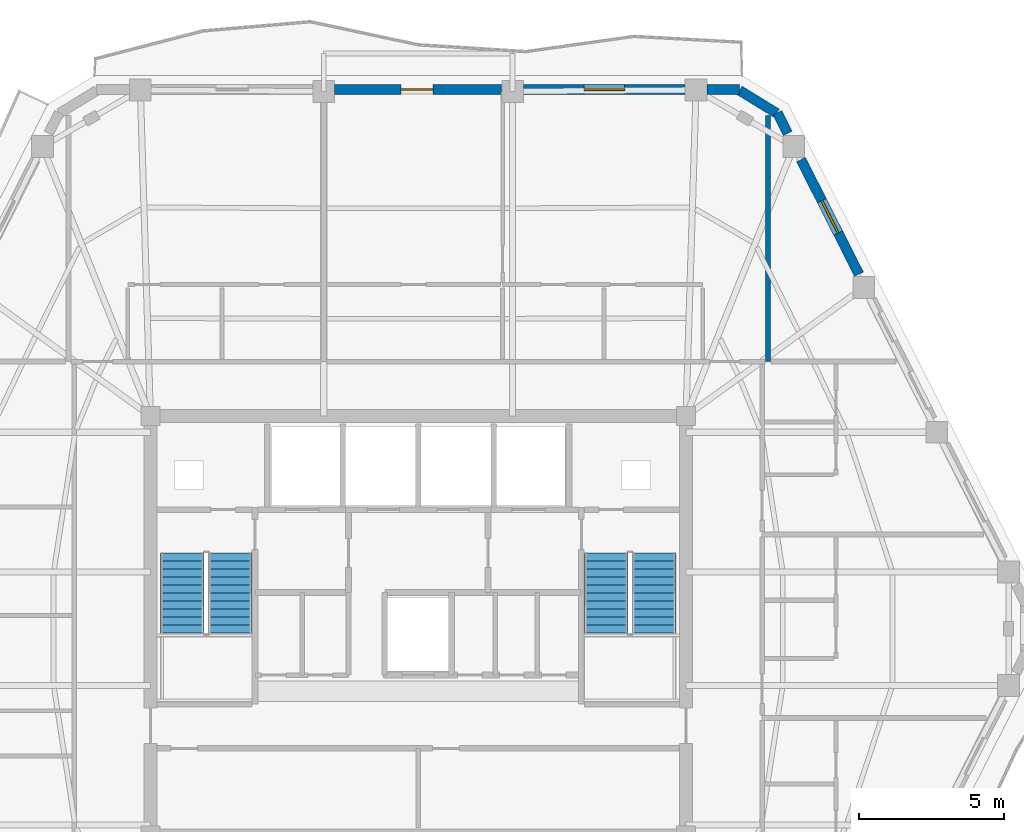
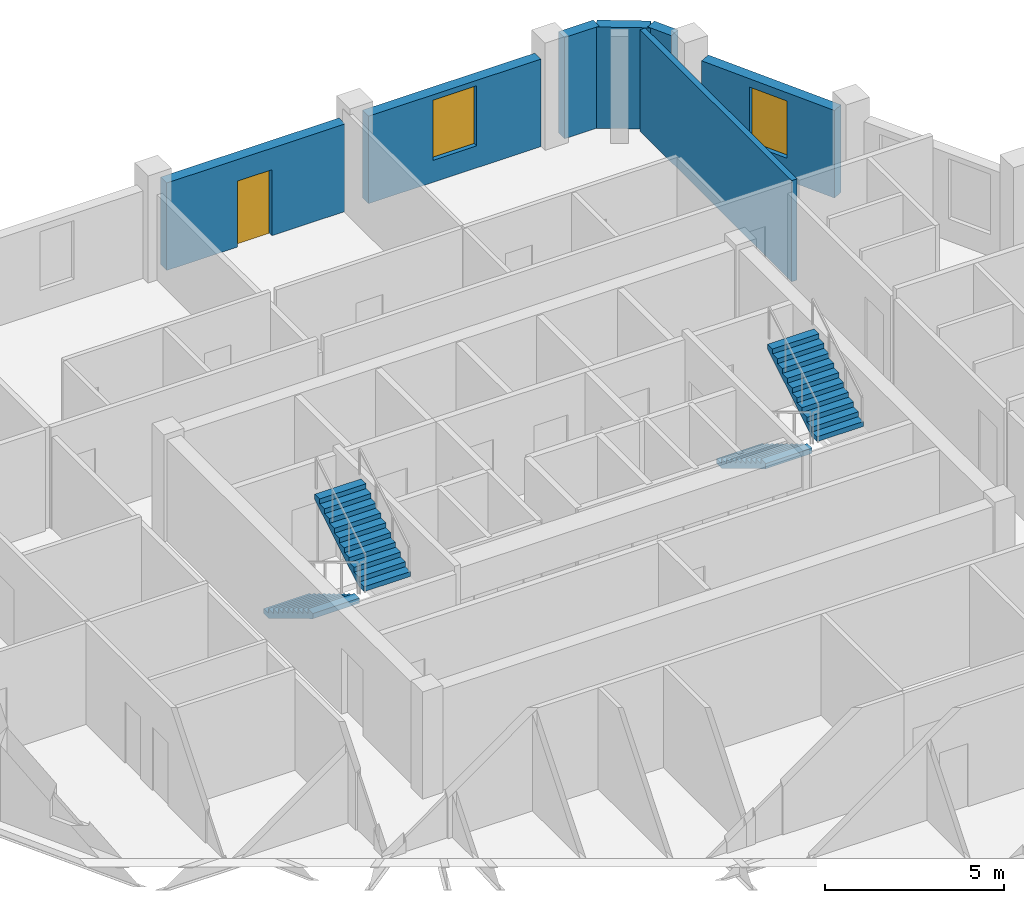
# One storey, part 8 of 11: 7 walls, 4 stair flights, 2 windows, 1 door, 3 openings, 2 elements without a shape of their own.
"""IFC4 building model written with IfcOpenShell, lengths in metres."""

from ifc_helpers import new_model, si_unit, direction, frame, frame_2d, origin, place, context, subcontext, project, spatial, polyline, rectangle, outline, extrude, material, layer, layer_set, type_object, element, fill, aggregate, save


model = new_model("IFC4")

# Units and contexts
model_context = context("Model", 3, precision=1e-05, world=origin(), true_north=direction((0.0, 1.0)))
body_context = subcontext(model_context, "Body", "Model", "MODEL_VIEW")
ifc_project = project(units=[si_unit("LENGTHUNIT", "METRE"), si_unit("AREAUNIT", "SQUARE_METRE"), si_unit("VOLUMEUNIT", "CUBIC_METRE"), si_unit("PLANEANGLEUNIT", "RADIAN"), si_unit("MASSUNIT", "GRAM", prefix="KILO")], contexts=[model_context])

# Site, building, storey
site_placement = place(None, origin())
site = spatial("IfcSite", under=ifc_project, at=site_placement, CompositionType="ELEMENT")
building_placement = place(site_placement, origin())
building = spatial("IfcBuilding", under=site, at=building_placement, Name="Cinnabar Lancet Tower", CompositionType="ELEMENT")
storey_placement = place(building_placement, frame((0.0, 0.0, 248.89990234375)))
storey = spatial("IfcBuildingStorey", under=building, at=storey_placement, Name="L66", CompositionType="ELEMENT", Elevation=248.89990234375)

# Walls
ifc_material_1 = material(Name="Fire-rated twin-frame acoustic drywall", Category="gypsum")
ifc_layer_1 = layer(ifc_material_1, 0.179931640625)
ifc_layer_set_1 = layer_set([ifc_layer_1], Name="Fire-rated twin-frame acoustic drywall")
wall_type_1 = type_object("IfcWallType", Name="ARC-WL-PARTY-180", PredefinedType="PARTITIONING", material=ifc_layer_set_1)
wall_1_placement = place(storey_placement, frame((44.449951171875, 35.0, 0.0), z_axis=(0.0, 0.0, 1.0), x_axis=(0.0, 1.0, 0.0)))
element("IfcWall", 1, at=wall_1_placement, inside=storey, type_object=wall_type_1, Name="PW-L66-NPTY-444", PredefinedType="PARTITIONING", context=body_context, shape_type="SweptSolid", body=[
    extrude(rectangle(XDim=8.48095703125, YDim=0.179931640625, at=frame_2d((4.240478515625, 0.0))), origin(), (0.0, 0.0, 1.0), 3.4501953125),
])
ifc_material_2 = material(Name="Cinnabar red clay brick", Category="masonry")
ifc_layer_2 = layer(ifc_material_2, 0.340087890625)
ifc_layer_set_2 = layer_set([ifc_layer_2], Name="Cinnabar red clay brick")
wall_type_2 = type_object("IfcWallType", Name="ENV-WL-BRK-RED-340", PredefinedType="STANDARD", material=ifc_layer_set_2)
wall_2_placement = place(storey_placement, frame((44.7529296875, 43.554931640625, 0.0), z_axis=(0.0, 0.0, 1.0), x_axis=(-0.851680557619, 0.52406128246, 0.0)))
element("IfcWall", 2, at=wall_2_placement, inside=storey, type_object=wall_type_2, Name="L66 Chamfered Corner Brick Pier 4.1", PredefinedType="STANDARD", context=body_context, shape_type="SweptSolid", body=[
    extrude(rectangle(XDim=1.507568359375, YDim=0.340087890625, at=frame_2d((0.75390625, 0.0))), origin(), (0.0, 0.0, 1.0), 3.4501953125),
])

# Wall, opening, window
wall_3_placement = place(storey_placement, frame((47.5859375, 38.010009765625, 0.0), z_axis=(0.0, 0.0, 1.0), x_axis=(-0.451463046281, 0.89228981718, 0.0)))
wall_3 = element("IfcWall", 3, at=wall_3_placement, inside=storey, type_object=wall_type_2, Name="L66 Face 3 Masonry Bay Wall 4", PredefinedType="STANDARD", context=body_context, shape_type="SweptSolid", body=[
    extrude(rectangle(XDim=4.429931640625, YDim=0.340087890625, at=frame_2d((2.21484375, 0.0))), origin(), (0.0, 0.0, 1.0), 2.983154296875),
])
opening_1_placement = place(wall_3_placement, frame((1.590087890625, 0.0, 0.75)))
opening_1 = element("IfcOpeningElement", 4, at=opening_1_placement, cuts=wall_3, Name="Opening WN-03", PredefinedType="OPENING", context=body_context, shape_type="SweptSolid", body=[
    extrude(rectangle(XDim=1.25, YDim=1.949951171875, at=frame_2d((0.625, 0.97509765625))), frame((0.0, 0.179931640625, 0.0), z_axis=(0.0, -1.0, 0.0), x_axis=(1.0, 0.0, 0.0)), (0.0, 0.0, 1.0), 0.360107421875),
])
ifc_material_3 = material(Name="Thermally broken bronze-anodized aluminium low-E double glazing", Category="aluminium")
window_type_1 = type_object("IfcWindowType", Name="ENV-WN-LANCET-1250", PartitioningType="SINGLE_PANEL", PredefinedType="WINDOW", material=ifc_material_3)
window_1_placement = place(opening_1_placement, origin())
window_1 = element("IfcWindow", 5, at=window_1_placement, inside=storey, type_object=window_type_1, Name="L66 Face 3 Gothic Lancet Window 4", OverallHeight=1.949951171875, OverallWidth=1.25, PartitioningType="SINGLE_PANEL", PredefinedType="WINDOW", context=body_context, shape_type="SweptSolid", body=[
    extrude(rectangle(XDim=1.25, YDim=1.949951171875, at=frame_2d((0.625, 0.97509765625))), frame((0.0, 0.030029296875, 0.0), z_axis=(0.0, -1.0, 0.0), x_axis=(1.0, 0.0, 0.0)), (0.0, 0.0, 1.0), 0.06005859375),
])
fill(opening_1, window_1)

# Walls
wall_4_placement = place(storey_placement, frame((45.1298828125, 42.864990234375, 0.0), z_axis=(0.0, 0.0, 1.0), x_axis=(-0.451159191899, 0.892443490404, 0.0)))
element("IfcWall", 6, at=wall_4_placement, inside=storey, type_object=wall_type_2, Name="L66 Face 3 Masonry Bay Wall 5", PredefinedType="STANDARD", context=body_context, shape_type="SweptSolid", body=[
    extrude(rectangle(XDim=0.791259765625, YDim=0.340087890625, at=frame_2d((0.3955078125, 0.0))), origin(), (0.0, 0.0, 1.0), 3.4501953125),
])
wall_5_placement = place(storey_placement, frame((43.47412109375, 44.3701171875, 0.0), z_axis=(0.0, 0.0, 1.0), x_axis=(-1.0, 0.0, 0.0)))
element("IfcWall", 7, at=wall_5_placement, inside=storey, type_object=wall_type_2, Name="L66 Face 4 Masonry Bay Wall 1", PredefinedType="STANDARD", context=body_context, shape_type="SweptSolid", body=[
    extrude(rectangle(XDim=1.123046875, YDim=0.340087890625, at=frame_2d((0.5615234375, 0.0))), origin(), (0.0, 0.0, 1.0), 3.4501953125),
])

# Wall, opening, window
wall_6_placement = place(storey_placement, frame((41.593017578125, 44.3701171875, 0.0), z_axis=(0.0, 0.0, 1.0), x_axis=(-1.0, 0.0, 0.0)))
wall_6 = element("IfcWall", 8, at=wall_6_placement, inside=storey, type_object=wall_type_2, Name="L66 Face 4 Masonry Bay Wall 2", PredefinedType="STANDARD", context=body_context, shape_type="SweptSolid", body=[
    extrude(rectangle(XDim=5.56005859375, YDim=0.340087890625, at=frame_2d((2.780029296875, 0.0))), origin(), (0.0, 0.0, 1.0), 2.983154296875),
])
opening_2_placement = place(wall_6_placement, frame((2.080078125, 0.0, 0.75)))
opening_2 = element("IfcOpeningElement", 9, at=opening_2_placement, cuts=wall_6, Name="Opening WN-02", PredefinedType="OPENING", context=body_context, shape_type="SweptSolid", body=[
    extrude(rectangle(XDim=1.39990234375, YDim=2.050048828125, at=frame_2d((0.699951171875, 1.02490234375))), frame((0.0, 0.179931640625, 0.0), z_axis=(0.0, -1.0, 0.0), x_axis=(1.0, 0.0, 0.0)), (0.0, 0.0, 1.0), 0.360107421875),
])
ifc_material_4 = material(Name="Thermally broken bronze-anodized aluminium low-E double glazing", Category="aluminium")
window_type_2 = type_object("IfcWindowType", Name="ENV-WN-LANCET-1400", PartitioningType="SINGLE_PANEL", PredefinedType="WINDOW", material=ifc_material_4)
window_2_placement = place(opening_2_placement, origin())
window_2 = element("IfcWindow", 10, at=window_2_placement, inside=storey, type_object=window_type_2, Name="L66 Face 4 Gothic Lancet Window 2", OverallHeight=2.050048828125, OverallWidth=1.39990234375, PartitioningType="SINGLE_PANEL", PredefinedType="WINDOW", context=body_context, shape_type="SweptSolid", body=[
    extrude(rectangle(XDim=1.39990234375, YDim=2.050048828125, at=frame_2d((0.699951171875, 1.02490234375))), frame((0.0, 0.030029296875, 0.0), z_axis=(0.0, -1.0, 0.0), x_axis=(1.0, 0.0, 0.0)), (0.0, 0.0, 1.0), 0.06005859375),
])
fill(opening_2, window_2)

# Wall, opening, door
wall_7_placement = place(storey_placement, frame((35.27490234375, 44.3701171875, 0.0), z_axis=(0.0, 0.0, 1.0), x_axis=(-1.0, 0.0, 0.0)))
wall_7 = element("IfcWall", 11, at=wall_7_placement, inside=storey, type_object=wall_type_2, Name="L66 Face 4 Masonry Bay Wall 3", PredefinedType="STANDARD", context=body_context, shape_type="SweptSolid", body=[
    extrude(rectangle(XDim=5.75, YDim=0.340087890625, at=frame_2d((2.875, 0.0))), origin(), (0.0, 0.0, 1.0), 2.983154296875),
])
opening_3_placement = place(wall_7_placement, frame((2.360107421875, 0.0, 0.0)))
opening_3 = element("IfcOpeningElement", 12, at=opening_3_placement, cuts=wall_7, Name="Opening TD-01", PredefinedType="OPENING", context=body_context, shape_type="SweptSolid", body=[
    extrude(rectangle(XDim=1.10009765625, YDim=2.25, at=frame_2d((0.550048828125, 1.125))), frame((0.0, 0.179931640625, 0.0), z_axis=(0.0, -1.0, 0.0), x_axis=(1.0, 0.0, 0.0)), (0.0, 0.0, 1.0), 0.360107421875),
])
ifc_material_5 = material(Name="Thermally broken low-E glazed balcony terrace door", Category="wood")
door_type = type_object("IfcDoorType", Name="ARC-DR-BALC", OperationType="NOTDEFINED", PredefinedType="DOOR", material=ifc_material_5)
door_placement = place(opening_3_placement, origin())
door = element("IfcDoor", 13, at=door_placement, inside=storey, type_object=door_type, Name="L66 Face 4 Glazed Terrace Door", OperationType="SINGLE_SWING_LEFT", OverallHeight=2.25, OverallWidth=1.10009765625, PredefinedType="DOOR", context=body_context, shape_type="SweptSolid", body=[
    extrude(rectangle(XDim=1.10009765625, YDim=2.25, at=frame_2d((0.550048828125, 1.125))), frame((0.0, 0.02490234375, 0.0), z_axis=(0.0, -1.0, 0.0), x_axis=(1.0, 0.0, 0.0)), (0.0, 0.0, 1.0), 0.050048828125),
])
fill(opening_3, door)

# Stair, stair flights
ifc_material_6 = material(Name="Concrete C40/50", Category="concrete")
stair_type = type_object("IfcStairType", Name="ST-CORE", PredefinedType="HALF_TURN_STAIR", material=ifc_material_6)
stair_1_placement = place(storey_placement, origin())
stair_1 = element("IfcStair", 14, at=stair_1_placement, inside=storey, type_object=stair_type, Name="L66 ST-1", PredefinedType="HALF_TURN_STAIR")
ifc_material_7 = material(Name="Concrete C40/50", Category="concrete")
stair_flight_type = type_object("IfcStairFlightType", Name="FLIGHT-CORE", PredefinedType="STRAIGHT", material=ifc_material_7)
stair_flight_1_placement = place(storey_placement, frame((24.27490234375, 28.39990234375, 0.0), z_axis=(0.0, 0.0, 1.0), x_axis=(0.0, -1.0, 0.0)))
stair_flight_1 = element("IfcStairFlight", 15, at=stair_flight_1_placement, type_object=stair_flight_type, Name="ST-1 flight 1", NumberOfRisers=11, NumberOfTreads=10, PredefinedType="STRAIGHT", RiserHeight=0.165909091, TreadLength=0.275, context=body_context, shape_type="SweptSolid", body=[
    extrude(outline(polyline([(0.0, 0.0), (0.0, 0.166015625), (0.27490234375, 0.166015625), (0.27490234375, 0.331787109375), (0.550048828125, 0.331787109375), (0.550048828125, 0.497802734375), (0.824951171875, 0.497802734375), (0.824951171875, 0.66357421875), (1.10009765625, 0.66357421875), (1.10009765625, 0.82958984375), (1.375, 0.82958984375), (1.375, 0.995361328125), (1.64990234375, 0.995361328125), (1.64990234375, 1.161376953125), (1.925048828125, 1.161376953125), (1.925048828125, 1.327392578125), (2.199951171875, 1.327392578125), (2.199951171875, 1.4931640625), (2.47509765625, 1.4931640625), (2.47509765625, 1.6591796875), (2.75, 1.6591796875), (2.75, 1.824951171875), (2.75, 1.484130859375), (0.290283203125, 0.0), (0.0, 0.0)])), frame((0.0, 0.75, 0.0), z_axis=(0.0, -1.0, 0.0), x_axis=(1.0, 0.0, 0.0)), (0.0, 0.0, 1.0), 1.5),
])
stair_flight_2_placement = place(storey_placement, frame((25.925048828125, 25.64990234375, 1.8251953125), z_axis=(0.0, 0.0, 1.0), x_axis=(0.0, 1.0, 0.0)))
stair_flight_2 = element("IfcStairFlight", 16, at=stair_flight_2_placement, type_object=stair_flight_type, Name="ST-1 flight 2", NumberOfRisers=11, NumberOfTreads=10, PredefinedType="STRAIGHT", RiserHeight=0.165909091, TreadLength=0.275, context=body_context, shape_type="SweptSolid", body=[
    extrude(outline(polyline([(0.0, 0.0), (0.0, 0.166015625), (0.27490234375, 0.166015625), (0.27490234375, 0.331787109375), (0.550048828125, 0.331787109375), (0.550048828125, 0.497802734375), (0.824951171875, 0.497802734375), (0.824951171875, 0.66357421875), (1.10009765625, 0.66357421875), (1.10009765625, 0.82958984375), (1.375, 0.82958984375), (1.375, 0.995361328125), (1.64990234375, 0.995361328125), (1.64990234375, 1.161376953125), (1.925048828125, 1.161376953125), (1.925048828125, 1.327392578125), (2.199951171875, 1.327392578125), (2.199951171875, 1.4931640625), (2.47509765625, 1.4931640625), (2.47509765625, 1.6591796875), (2.75, 1.6591796875), (2.75, 1.824951171875), (2.75, 1.484130859375), (0.290283203125, 0.0), (0.0, 0.0)])), frame((0.0, 0.75, 0.0), z_axis=(0.0, -1.0, 0.0), x_axis=(1.0, 0.0, 0.0)), (0.0, 0.0, 1.0), 1.5),
])
aggregate(stair_1, [stair_flight_1, stair_flight_2])

stair_2_placement = place(storey_placement, origin())
stair_2 = element("IfcStair", 17, at=stair_2_placement, inside=storey, type_object=stair_type, Name="L66 ST-2", PredefinedType="HALF_TURN_STAIR")
stair_flight_3_placement = place(storey_placement, frame((38.875, 28.39990234375, 0.0), z_axis=(0.0, 0.0, 1.0), x_axis=(0.0, -1.0, 0.0)))
stair_flight_3 = element("IfcStairFlight", 18, at=stair_flight_3_placement, type_object=stair_flight_type, Name="ST-2 flight 1", NumberOfRisers=11, NumberOfTreads=10, PredefinedType="STRAIGHT", RiserHeight=0.165909091, TreadLength=0.275, context=body_context, shape_type="SweptSolid", body=[
    extrude(outline(polyline([(0.0, 0.0), (0.0, 0.166015625), (0.27490234375, 0.166015625), (0.27490234375, 0.331787109375), (0.550048828125, 0.331787109375), (0.550048828125, 0.497802734375), (0.824951171875, 0.497802734375), (0.824951171875, 0.66357421875), (1.10009765625, 0.66357421875), (1.10009765625, 0.82958984375), (1.375, 0.82958984375), (1.375, 0.995361328125), (1.64990234375, 0.995361328125), (1.64990234375, 1.161376953125), (1.925048828125, 1.161376953125), (1.925048828125, 1.327392578125), (2.199951171875, 1.327392578125), (2.199951171875, 1.4931640625), (2.47509765625, 1.4931640625), (2.47509765625, 1.6591796875), (2.75, 1.6591796875), (2.75, 1.824951171875), (2.75, 1.484130859375), (0.290283203125, 0.0), (0.0, 0.0)])), frame((0.0, 0.75, 0.0), z_axis=(0.0, -1.0, 0.0), x_axis=(1.0, 0.0, 0.0)), (0.0, 0.0, 1.0), 1.5),
])
stair_flight_4_placement = place(storey_placement, frame((40.52490234375, 25.64990234375, 1.8251953125), z_axis=(0.0, 0.0, 1.0), x_axis=(0.0, 1.0, 0.0)))
stair_flight_4 = element("IfcStairFlight", 19, at=stair_flight_4_placement, type_object=stair_flight_type, Name="ST-2 flight 2", NumberOfRisers=11, NumberOfTreads=10, PredefinedType="STRAIGHT", RiserHeight=0.165909091, TreadLength=0.275, context=body_context, shape_type="SweptSolid", body=[
    extrude(outline(polyline([(0.0, 0.0), (0.0, 0.166015625), (0.27490234375, 0.166015625), (0.27490234375, 0.331787109375), (0.550048828125, 0.331787109375), (0.550048828125, 0.497802734375), (0.824951171875, 0.497802734375), (0.824951171875, 0.66357421875), (1.10009765625, 0.66357421875), (1.10009765625, 0.82958984375), (1.375, 0.82958984375), (1.375, 0.995361328125), (1.64990234375, 0.995361328125), (1.64990234375, 1.161376953125), (1.925048828125, 1.161376953125), (1.925048828125, 1.327392578125), (2.199951171875, 1.327392578125), (2.199951171875, 1.4931640625), (2.47509765625, 1.4931640625), (2.47509765625, 1.6591796875), (2.75, 1.6591796875), (2.75, 1.824951171875), (2.75, 1.484130859375), (0.290283203125, 0.0), (0.0, 0.0)])), frame((0.0, 0.75, 0.0), z_axis=(0.0, -1.0, 0.0), x_axis=(1.0, 0.0, 0.0)), (0.0, 0.0, 1.0), 1.5),
])
aggregate(stair_2, [stair_flight_3, stair_flight_4])

save(model, "model.ifc")
